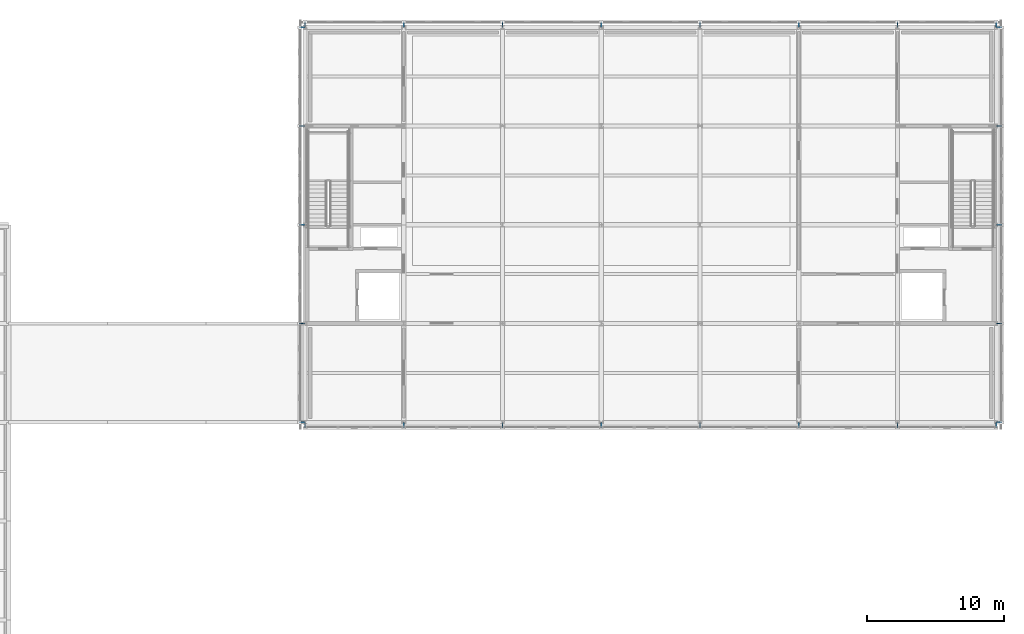
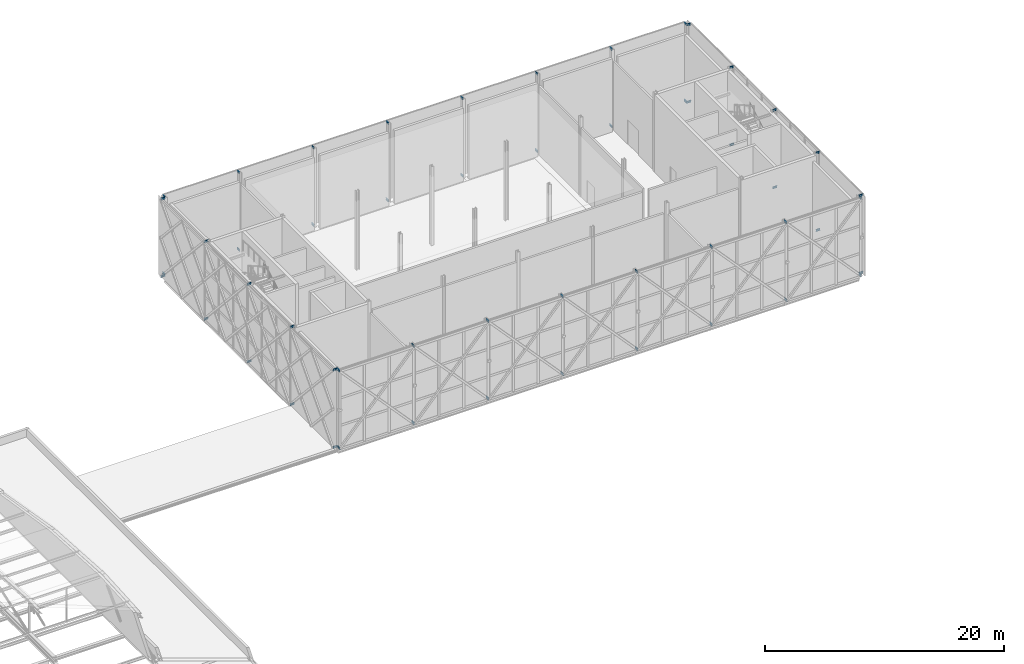
# One storey, part 52 of 76: 52 beams.
"""IFC4 building model written with IfcOpenShell, lengths in metres."""

from ifc_helpers import new_model, si_unit, direction, frame, origin, origin_2d, place, context, subcontext, project, spatial, i_section, extrude, material, material_profile, profile_set, type_object, element, save


model = new_model("IFC4")

# Units and contexts
model_context = context("Model", 3, precision=1e-05, world=origin(), true_north=direction((0.0, 1.0)))
body_context = subcontext(model_context, "Body", "Model", "MODEL_VIEW")
ifc_project = project(units=[si_unit("LENGTHUNIT", "METRE"), si_unit("AREAUNIT", "SQUARE_METRE"), si_unit("VOLUMEUNIT", "CUBIC_METRE"), si_unit("PLANEANGLEUNIT", "RADIAN"), si_unit("MASSUNIT", "GRAM", prefix="KILO")], contexts=[model_context])

# Site, building, storey
site_placement = place(None, origin())
site = spatial("IfcSite", under=ifc_project, at=site_placement, CompositionType="ELEMENT")
building_placement = place(site_placement, origin())
building = spatial("IfcBuilding", under=site, at=building_placement, Name="Zlatovets Crest Museum", CompositionType="ELEMENT")
storey_placement = place(building_placement, frame((0.0, 0.0, 17.10009765625)))
storey = spatial("IfcBuildingStorey", under=building, at=storey_placement, Name="L04", CompositionType="ELEMENT", Elevation=17.10009765625)

# Beams
ifc_material = material(Name="Structural steel S355J2", Category="steel")
ifc_material_profile = material_profile(ifc_material, i_section(OverallWidth=0.10009765625, OverallDepth=0.199951171875, WebThickness=0.005615234375, FlangeThickness=0.008544921875, FilletRadius=0.011962890625, at=origin_2d()), Name="IPE 200")
ifc_profile_set = profile_set([ifc_material_profile], Name="Structural steel S355J2")
beam_type = type_object("IfcBeamType", Name="Beam_PR-02", PredefinedType="LINTEL", material=ifc_profile_set)
for number, where, z_axis, x_axis, name in (
    (1, (57.60009765625, 86.39990234375, 0.099853515625), (0.0, -1.0, 0.0), (1.0, 0.0, 0.0), "Lattice Structural Outrigger Tie"),
    (2, (57.60009765625, 86.39990234375, 8.0), (0.0, -1.0, 0.0), (1.0, 0.0, 0.0), "Lattice Structural Outrigger Tie"),
    (3, (64.800048828125, 86.39990234375, 0.099853515625), (0.0, -1.0, 0.0), (1.0, 0.0, 0.0), "Lattice Structural Outrigger Tie"),
    (4, (64.800048828125, 86.39990234375, 8.0), (0.0, -1.0, 0.0), (1.0, 0.0, 0.0), "Lattice Structural Outrigger Tie"),
    (5, (72.0, 86.39990234375, 0.099853515625), (0.0, -1.0, 0.0), (1.0, 0.0, 0.0), "Lattice Structural Outrigger Tie"),
    (6, (72.0, 86.39990234375, 8.0), (0.0, -1.0, 0.0), (1.0, 0.0, 0.0), "Lattice Structural Outrigger Tie"),
    (7, (79.199951171875, 86.39990234375, 0.099853515625), (0.0, -1.0, 0.0), (1.0, 0.0, 0.0), "Lattice Structural Outrigger Tie"),
    (8, (79.199951171875, 86.39990234375, 8.0), (0.0, -1.0, 0.0), (1.0, 0.0, 0.0), "Lattice Structural Outrigger Tie"),
    (9, (86.39990234375, 86.39990234375, 0.099853515625), (0.0, -1.0, 0.0), (1.0, 0.0, 0.0), "Lattice Structural Outrigger Tie"),
    (10, (86.39990234375, 86.39990234375, 8.0), (0.0, -1.0, 0.0), (1.0, 0.0, 0.0), "Lattice Structural Outrigger Tie"),
    (11, (93.60009765625, 86.39990234375, 0.099853515625), (0.0, -1.0, 0.0), (1.0, 0.0, 0.0), "Lattice Structural Outrigger Tie"),
    (12, (93.60009765625, 86.39990234375, 8.0), (0.0, -1.0, 0.0), (1.0, 0.0, 0.0), "Lattice Structural Outrigger Tie"),
    (13, (100.800048828125, 86.39990234375, 0.099853515625), (0.0, -1.0, 0.0), (1.0, 0.0, 0.0), "Lattice Structural Outrigger Tie"),
    (14, (100.800048828125, 86.39990234375, 8.0), (0.0, -1.0, 0.0), (1.0, 0.0, 0.0), "Lattice Structural Outrigger Tie"),
    (15, (108.0, 86.39990234375, 0.099853515625), (0.0, -1.0, 0.0), (1.0, 0.0, 0.0), "Lattice Structural Outrigger Tie"),
    (16, (108.0, 86.39990234375, 8.0), (0.0, -1.0, 0.0), (1.0, 0.0, 0.0), "Lattice Structural Outrigger Tie"),
    (17, (108.0, 86.39990234375, 0.099853515625), (1.0, 0.0, 0.0), (0.0, 1.0, 0.0), "Lattice Structural Outrigger Tie"),
    (18, (108.0, 86.39990234375, 8.0), (1.0, 0.0, 0.0), (0.0, 1.0, 0.0), "Lattice Structural Outrigger Tie"),
    (19, (108.0, 93.60009765625, 0.099853515625), (1.0, 0.0, 0.0), (0.0, 1.0, 0.0), "Lattice Structural Outrigger Tie"),
    (20, (108.0, 93.60009765625, 8.0), (1.0, 0.0, 0.0), (0.0, 1.0, 0.0), "Lattice Structural Outrigger Tie"),
    (21, (108.0, 100.800048828125, 0.099853515625), (1.0, 0.0, 0.0), (0.0, 1.0, 0.0), "Lattice Structural Outrigger Tie"),
    (22, (108.0, 100.800048828125, 8.0), (1.0, 0.0, 0.0), (0.0, 1.0, 0.0), "Lattice Structural Outrigger Tie"),
    (23, (108.0, 108.0, 0.099853515625), (1.0, 0.0, 0.0), (0.0, 1.0, 0.0), "Lattice Structural Outrigger Tie"),
    (24, (108.0, 108.0, 8.0), (1.0, 0.0, 0.0), (0.0, 1.0, 0.0), "Lattice Structural Outrigger Tie"),
    (25, (108.0, 115.199951171875, 0.099853515625), (1.0, 0.0, 0.0), (0.0, 1.0, 0.0), "Lattice Structural Outrigger Tie"),
    (26, (108.0, 115.199951171875, 8.0), (1.0, 0.0, 0.0), (0.0, 1.0, 0.0), "Lattice Structural Outrigger Tie"),
):
    element("IfcBeam", number, at=place(storey_placement, frame(where, z_axis=z_axis, x_axis=x_axis)), inside=storey, type_object=beam_type, Name=name, PredefinedType="LINTEL", context=body_context, shape_type="SweptSolid", body=[
        extrude(i_section(OverallWidth=0.10009765625, OverallDepth=0.199951171875, WebThickness=0.005615234375, FlangeThickness=0.008544921875, FilletRadius=0.011962890625, at=origin_2d()), origin(), (0.0, 0.0, 1.0), 0.419921875),
    ])
for number, where, z_axis, x_axis, name in (
    (27, (108.0, 115.199951171875, 0.099853515625), (0.0, 1.0, 0.0), (-1.0, 0.0, 0.0), "Lattice Structural Outrigger Tie"),
    (28, (108.0, 115.199951171875, 8.0), (0.0, 1.0, 0.0), (-1.0, 0.0, 0.0), "Lattice Structural Outrigger Tie"),
    (29, (100.800048828125, 115.199951171875, 0.099853515625), (0.0, 1.0, 0.0), (-1.0, 0.0, 0.0), "Lattice Structural Outrigger Tie"),
    (30, (100.800048828125, 115.199951171875, 8.0), (0.0, 1.0, 0.0), (-1.0, 0.0, 0.0), "Lattice Structural Outrigger Tie"),
    (31, (93.60009765625, 115.199951171875, 0.099853515625), (0.0, 1.0, 0.0), (-1.0, 0.0, 0.0), "Lattice Structural Outrigger Tie"),
    (32, (93.60009765625, 115.199951171875, 8.0), (0.0, 1.0, 0.0), (-1.0, 0.0, 0.0), "Lattice Structural Outrigger Tie"),
    (33, (86.39990234375, 115.199951171875, 0.099853515625), (0.0, 1.0, 0.0), (-1.0, 0.0, 0.0), "Lattice Structural Outrigger Tie"),
    (34, (86.39990234375, 115.199951171875, 8.0), (0.0, 1.0, 0.0), (-1.0, 0.0, 0.0), "Lattice Structural Outrigger Tie"),
    (35, (79.199951171875, 115.199951171875, 0.099853515625), (0.0, 1.0, 0.0), (-1.0, 0.0, 0.0), "Lattice Structural Outrigger Tie"),
    (36, (79.199951171875, 115.199951171875, 8.0), (0.0, 1.0, 0.0), (-1.0, 0.0, 0.0), "Lattice Structural Outrigger Tie"),
    (37, (72.0, 115.199951171875, 0.099853515625), (0.0, 1.0, 0.0), (-1.0, 0.0, 0.0), "Lattice Structural Outrigger Tie"),
    (38, (72.0, 115.199951171875, 8.0), (0.0, 1.0, 0.0), (-1.0, 0.0, 0.0), "Lattice Structural Outrigger Tie"),
    (39, (64.800048828125, 115.199951171875, 0.099853515625), (0.0, 1.0, 0.0), (-1.0, 0.0, 0.0), "Lattice Structural Outrigger Tie"),
    (40, (64.800048828125, 115.199951171875, 8.0), (0.0, 1.0, 0.0), (-1.0, 0.0, 0.0), "Lattice Structural Outrigger Tie"),
    (41, (57.60009765625, 115.199951171875, 0.099853515625), (0.0, 1.0, 0.0), (-1.0, 0.0, 0.0), "Lattice Structural Outrigger Tie"),
    (42, (57.60009765625, 115.199951171875, 8.0), (0.0, 1.0, 0.0), (-1.0, 0.0, 0.0), "Lattice Structural Outrigger Tie"),
    (43, (57.60009765625, 115.199951171875, 0.099853515625), (-1.0, 0.0, 0.0), (0.0, -1.0, 0.0), "Lattice Structural Outrigger Tie"),
    (44, (57.60009765625, 115.199951171875, 8.0), (-1.0, 0.0, 0.0), (0.0, -1.0, 0.0), "Lattice Structural Outrigger Tie"),
    (45, (57.60009765625, 108.0, 0.099853515625), (-1.0, 0.0, 0.0), (0.0, -1.0, 0.0), "Lattice Structural Outrigger Tie"),
    (46, (57.60009765625, 108.0, 8.0), (-1.0, 0.0, 0.0), (0.0, -1.0, 0.0), "Lattice Structural Outrigger Tie"),
    (47, (57.60009765625, 100.800048828125, 0.099853515625), (-1.0, 0.0, 0.0), (0.0, -1.0, 0.0), "Lattice Structural Outrigger Tie"),
    (48, (57.60009765625, 100.800048828125, 8.0), (-1.0, 0.0, 0.0), (0.0, -1.0, 0.0), "Lattice Structural Outrigger Tie"),
    (49, (57.60009765625, 93.60009765625, 0.099853515625), (-1.0, 0.0, 0.0), (0.0, -1.0, 0.0), "Lattice Structural Outrigger Tie"),
    (50, (57.60009765625, 93.60009765625, 8.0), (-1.0, 0.0, 0.0), (0.0, -1.0, 0.0), "Lattice Structural Outrigger Tie"),
    (51, (57.60009765625, 86.39990234375, 0.099853515625), (-1.0, 0.0, 0.0), (0.0, -1.0, 0.0), "Lattice Structural Outrigger Tie"),
    (52, (57.60009765625, 86.39990234375, 8.0), (-1.0, 0.0, 0.0), (0.0, -1.0, 0.0), "Lattice Structural Outrigger Tie"),
):
    element("IfcBeam", number, at=place(storey_placement, frame(where, z_axis=z_axis, x_axis=x_axis)), inside=storey, type_object=beam_type, Name=name, PredefinedType="LINTEL", context=body_context, shape_type="SweptSolid", body=[
        extrude(i_section(OverallWidth=0.10009765625, OverallDepth=0.199951171875, WebThickness=0.005615234375, FlangeThickness=0.008544921875, FilletRadius=0.011962890625, at=origin_2d()), origin(), (0.0, 0.0, 1.0), 0.420166015625),
    ])

save(model, "model.ifc")
